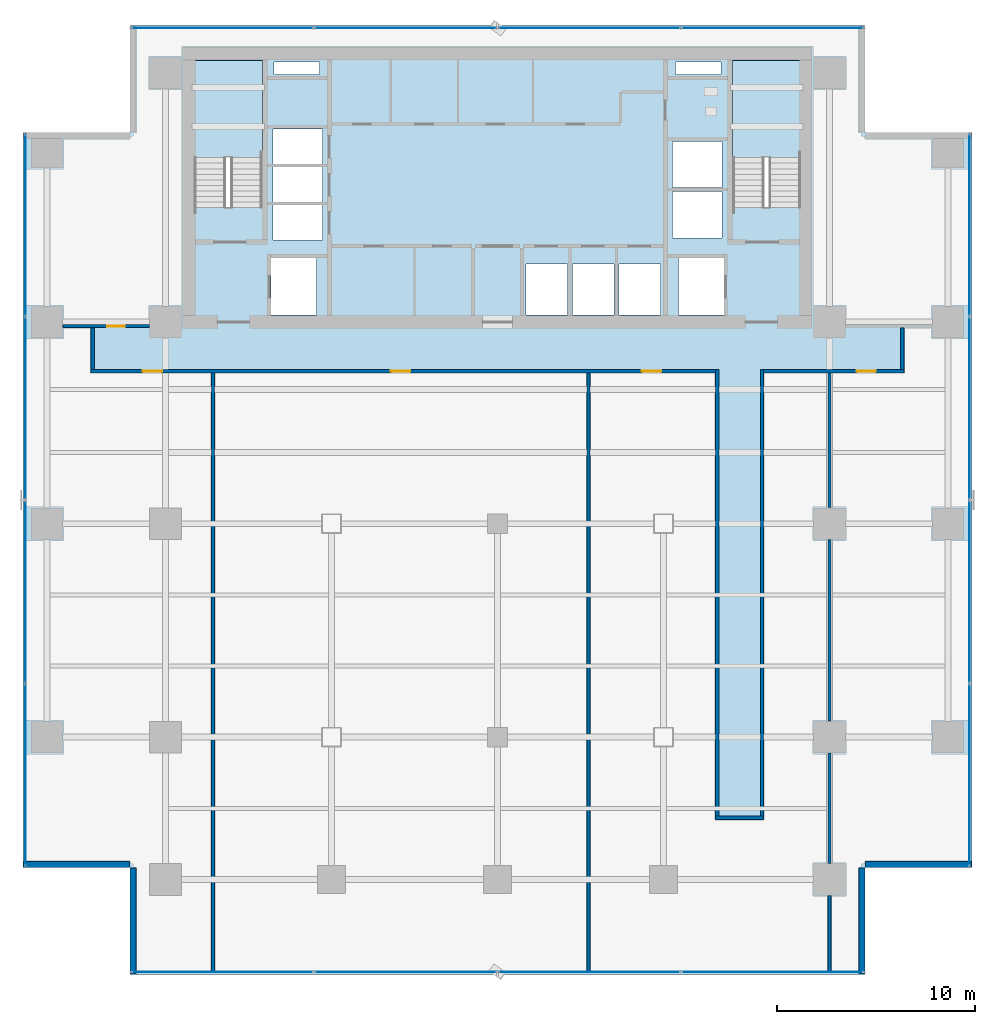
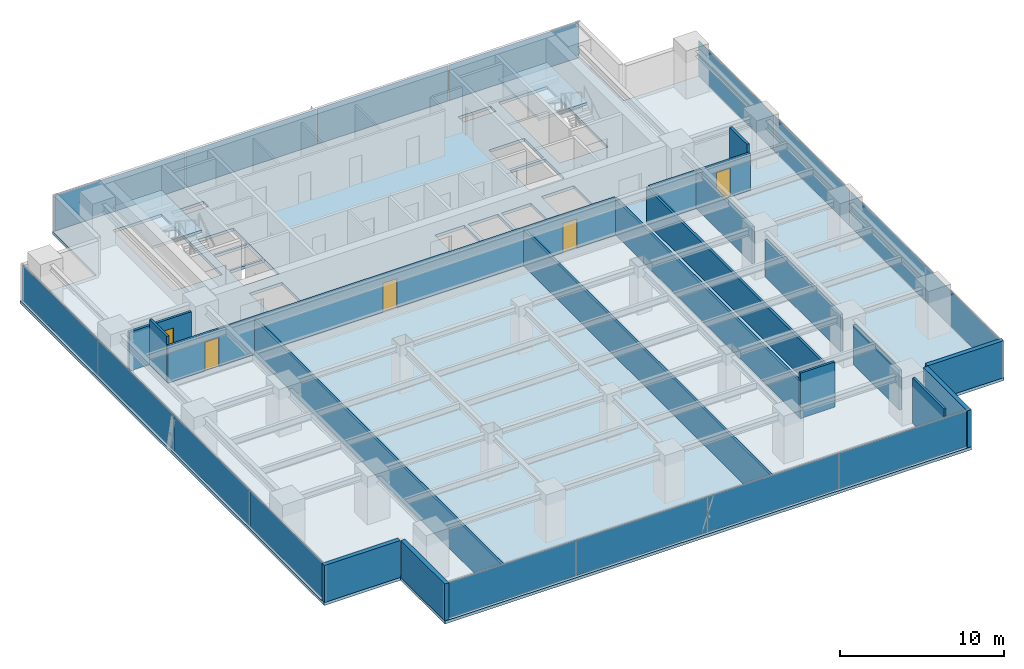
# One storey, part 20 of 27: 18 walls, 16 plates, 5 doors, 3 slabs, 5 openings, 6 elements without a shape of their own.
"""IFC4 building model written with IfcOpenShell, lengths in metres."""

import ifcopenshell
import ifcopenshell.guid

model = None  # the IFC model being written
_history = None  # IfcOwnerHistory: only IFC2X3 demands one
_inside = {}  # id of a spatial element -> (the spatial element, [elements in it])
_under = {}  # id of a project, library or spatial element -> (it, [spatial elements below it])
_declared = {}  # id of a project -> (the project, [libraries it declares])
_typed = {}  # id of a type object -> (the type object, [elements of that type])
_made_of = {}  # id of a material, layer set ... -> (it, [elements and type objects made of it])


def new_model(schema):
    """Start an empty IFC model of exactly this schema.

    Asked for "IFC4X3", IfcOpenShell would pick the latest addendum, in which some entities
    have other attributes; the version numbers below select the first issue.
    IFC2X3 requires an IfcOwnerHistory on every rooted entity: one is made here for all.
    """
    global model, _history
    if schema == "IFC4X3":
        model = ifcopenshell.file(schema_version=(4, 3, 0, 0))
    else:
        model = ifcopenshell.file(schema=schema)
    _inside.clear()
    _under.clear()
    _declared.clear()
    _typed.clear()
    _made_of.clear()
    _history = None
    if model.schema == "IFC2X3":
        org = make("IfcOrganization", Name="unknown")
        user = make(
            "IfcPersonAndOrganization",
            ThePerson=make("IfcPerson", FamilyName="unknown"),
            TheOrganization=org,
        )
        app = make(
            "IfcApplication",
            ApplicationDeveloper=org,
            Version="unknown",
            ApplicationFullName="unknown",
            ApplicationIdentifier="unknown",
        )
        _history = make(
            "IfcOwnerHistory",
            OwningUser=user,
            OwningApplication=app,
            ChangeAction="ADDED",
            CreationDate=0,
        )
    return model


def make(cls, **values):
    """One entity of the class cls with the attributes given. An attribute that is None is left unset."""
    return model.create_entity(
        cls, **{name: value for name, value in values.items() if value is not None}
    )


def rooted(cls, **values):
    """An entity with a GlobalId (a new one), such as an element, a storey or a relation."""
    return make(cls, GlobalId=ifcopenshell.guid.new(), OwnerHistory=_history, **values)


def si_unit(unit_type, name, prefix=None):
    """IfcSIUnit, for example si_unit("LENGTHUNIT", "METRE", prefix="MILLI")."""
    return make("IfcSIUnit", UnitType=unit_type, Prefix=prefix, Name=name)


def assignment(units):
    """IfcUnitAssignment: the units of a project."""
    return None if units is None else make("IfcUnitAssignment", Units=units)


def point(xyz):
    """IfcCartesianPoint."""
    return None if xyz is None else make("IfcCartesianPoint", Coordinates=xyz)


def direction(xyz):
    """IfcDirection."""
    return None if xyz is None else make("IfcDirection", DirectionRatios=xyz)


def frame(location, z_axis=None, x_axis=None):
    """IfcAxis2Placement3D, a coordinate frame: its origin and axes. An axis left out is left unset."""
    return make(
        "IfcAxis2Placement3D",
        Location=point(location),
        Axis=direction(z_axis),
        RefDirection=direction(x_axis),
    )


def frame_2d(location, x_axis=None):
    """IfcAxis2Placement2D, a coordinate frame in the plane: its origin and x axis."""
    return make(
        "IfcAxis2Placement2D", Location=point(location), RefDirection=direction(x_axis)
    )


def origin():
    """The frame at (0, 0, 0) with its axes left unset."""
    return frame((0.0, 0.0, 0.0))


def origin_2d():
    """The frame at (0, 0) in the plane with its x axis left unset."""
    return frame_2d((0.0, 0.0))


def place(relative_to, where):
    """IfcLocalPlacement: puts the frame where relative to a parent placement (None: the world)."""
    return make(
        "IfcLocalPlacement", PlacementRelTo=relative_to, RelativePlacement=where
    )


def context(
    kind, dimensions, precision=None, world=None, true_north=None, identifier=None
):
    """IfcGeometricRepresentationContext, for example the 3D "Model" context."""
    return make(
        "IfcGeometricRepresentationContext",
        ContextIdentifier=identifier,
        ContextType=kind,
        CoordinateSpaceDimension=dimensions,
        Precision=precision,
        WorldCoordinateSystem=world,
        TrueNorth=true_north,
    )


def subcontext(parent, identifier, kind, view, scale=None):
    """IfcGeometricRepresentationSubContext, for example "Body" below "Model"."""
    return make(
        "IfcGeometricRepresentationSubContext",
        ContextIdentifier=identifier,
        ContextType=kind,
        ParentContext=parent,
        TargetScale=scale,
        TargetView=view,
    )


def project(units=None, contexts=None):
    """IfcProject with its units and contexts."""
    return rooted(
        "IfcProject",
        Name="project",
        RepresentationContexts=contexts,
        UnitsInContext=assignment(units),
    )


def spatial(cls, under=None, at=None, **own):
    """A site, building, storey or space (cls), placed at a placement, below another one or the project."""
    s = rooted(cls, ObjectPlacement=at, **own)
    if under is not None:
        _under.setdefault(under.id(), (under, []))[1].append(s)
    return s


def polyline(points):
    """IfcPolyline through the points."""
    return make("IfcPolyline", Points=[point(p) for p in points])


def profile(cls, at=None, kind="AREA", **sizes):
    """A parametric profile (cls). Its sizes go by their IFC names, for example OverallWidth=200.0."""
    return make(cls, ProfileType=kind, Position=at, **sizes)


def rectangle(**sizes):
    """IfcRectangleProfileDef."""
    return profile("IfcRectangleProfileDef", **sizes)


def outline(outer, holes=None, kind="AREA"):
    """IfcArbitraryClosedProfileDef: a profile drawn as a closed curve; with holes, ...WithVoids."""
    if holes is None:
        return make("IfcArbitraryClosedProfileDef", ProfileType=kind, OuterCurve=outer)
    return make(
        "IfcArbitraryProfileDefWithVoids",
        ProfileType=kind,
        OuterCurve=outer,
        InnerCurves=holes,
    )


def extrude(swept, where, along, depth):
    """IfcExtrudedAreaSolid: the profile swept, set in the frame where, extruded along a direction by depth."""
    return make(
        "IfcExtrudedAreaSolid",
        SweptArea=swept,
        Position=where,
        ExtrudedDirection=direction(along),
        Depth=depth,
    )


def shape(context_of_items, identifier, shape_type, items):
    """IfcShapeRepresentation: the items that make up one representation, for example the "Body"."""
    return make(
        "IfcShapeRepresentation",
        ContextOfItems=context_of_items,
        RepresentationIdentifier=identifier,
        RepresentationType=shape_type,
        Items=items,
    )


def source(mapping_origin, context_of_items, identifier, shape_type, items):
    """IfcRepresentationMap: a shape defined once, which mapped items show again and again."""
    return make(
        "IfcRepresentationMap",
        MappingOrigin=mapping_origin,
        MappedRepresentation=shape(context_of_items, identifier, shape_type, items),
    )


def transform(
    local_origin,
    x_axis=None,
    y_axis=None,
    z_axis=None,
    scale=None,
    scale2=None,
    scale3=None,
    uniform=True,
):
    """IfcCartesianTransformationOperator3D, or its non-uniform kind. x_axis, y_axis, z_axis: its Axis1, 2, 3."""
    if uniform:
        return make(
            "IfcCartesianTransformationOperator3D",
            Axis1=direction(x_axis),
            Axis2=direction(y_axis),
            LocalOrigin=point(local_origin),
            Scale=scale,
            Axis3=direction(z_axis),
        )
    return make(
        "IfcCartesianTransformationOperator3DnonUniform",
        Axis1=direction(x_axis),
        Axis2=direction(y_axis),
        LocalOrigin=point(local_origin),
        Scale=scale,
        Axis3=direction(z_axis),
        Scale2=scale2,
        Scale3=scale3,
    )


def mapped(mapping_source, mapping_target):
    """IfcMappedItem: shows the shape of a source again, moved by a transform."""
    return make(
        "IfcMappedItem", MappingSource=mapping_source, MappingTarget=mapping_target
    )


def material(Name=None, Category=None):
    """IfcMaterial."""
    return make("IfcMaterial", Name=Name, Category=Category)


def layer(
    of_material, thickness, ventilated=None, Name=None, Category=None, Priority=None
):
    """IfcMaterialLayer: one layer of a wall or slab, of a material (None: an air gap)."""
    return make(
        "IfcMaterialLayer",
        Material=of_material,
        LayerThickness=thickness,
        IsVentilated=ventilated,
        Name=Name,
        Category=Category,
        Priority=Priority,
    )


def layer_set(layers, Name=None):
    """IfcMaterialLayerSet."""
    return make("IfcMaterialLayerSet", MaterialLayers=layers, LayerSetName=Name)


def made_of(thing, what):
    """Note that an element or type object is made of a material, layer set ...; save() writes the relation."""
    if what is not None:
        _made_of.setdefault(what.id(), (what, []))[1].append(thing)
    return thing


def type_object(cls, material=None, **own):
    """A type object (cls), such as IfcWallType, which elements share."""
    return made_of(rooted(cls, **own), material)


def element(
    cls,
    number,
    at=None,
    inside=None,
    cuts=None,
    type_object=None,
    material=None,
    context=None,
    identifier="Body",
    shape_type=None,
    held_by="IfcProductDefinitionShape",
    body=None,
    shapes=None,
    **own,
):
    """One element of the class cls, such as IfcWall. Its Tag is "e" and its number.

    at: its placement. inside: the storey or other place that contains it. cuts: it is an
    opening in that element (IfcRelVoidsElement). A single representation is given by context,
    identifier, shape_type and body (its items); several are given by shapes. held_by: the class
    of the entity that holds the representations. save() writes the other relations.
    """
    e = rooted(cls, Tag="e%d" % number, ObjectPlacement=at, **own)
    if body is not None:
        shapes = [shape(context, identifier, shape_type, body)]
    if shapes is not None:
        e.Representation = make(held_by, Representations=shapes)
    if inside is not None:
        _inside.setdefault(inside.id(), (inside, []))[1].append(e)
    if cuts is not None:
        rooted(
            "IfcRelVoidsElement", RelatingBuildingElement=cuts, RelatedOpeningElement=e
        )
    if type_object is not None:
        _typed.setdefault(type_object.id(), (type_object, []))[1].append(e)
    return made_of(e, material)


def fill(opening, filler):
    """IfcRelFillsElement: the door or window that sits in an opening."""
    return rooted(
        "IfcRelFillsElement",
        RelatingOpeningElement=opening,
        RelatedBuildingElement=filler,
    )


def aggregate(whole, parts):
    """IfcRelAggregates: a whole, such as a stair, and the parts it consists of."""
    return rooted("IfcRelAggregates", RelatingObject=whole, RelatedObjects=parts)


def save(model, path):
    """Write the relations noted so far, then the file.

    IfcRelAggregates (storeys below a building ...), IfcRelContainedInSpatialStructure (elements
    in a storey), IfcRelDefinesByType, IfcRelAssociatesMaterial and IfcRelDeclares: one each for
    every whole, place, type object, material and project.
    """
    for whole, parts in _under.values():
        aggregate(whole, parts)
    for where, things in _inside.values():
        rooted(
            "IfcRelContainedInSpatialStructure",
            RelatedElements=things,
            RelatingStructure=where,
        )
    for kind, things in _typed.values():
        rooted("IfcRelDefinesByType", RelatedObjects=things, RelatingType=kind)
    for what, things in _made_of.values():
        rooted("IfcRelAssociatesMaterial", RelatedObjects=things, RelatingMaterial=what)
    for by, libraries in _declared.values():
        rooted("IfcRelDeclares", RelatingContext=by, RelatedDefinitions=libraries)
    model.write(path)


model = new_model("IFC4")

# Units and contexts
model_context = context("Model", 3, precision=1e-05, world=origin(), true_north=direction((0.0, 1.0)))
body_context = subcontext(model_context, "Body", "Model", "MODEL_VIEW")
ifc_project = project(units=[si_unit("LENGTHUNIT", "METRE"), si_unit("AREAUNIT", "SQUARE_METRE"), si_unit("VOLUMEUNIT", "CUBIC_METRE"), si_unit("PLANEANGLEUNIT", "RADIAN"), si_unit("MASSUNIT", "GRAM", prefix="KILO")], contexts=[model_context])

# Site, building, storey
site_placement = place(None, origin())
site = spatial("IfcSite", under=ifc_project, at=site_placement, CompositionType="ELEMENT")
building_placement = place(site_placement, origin())
building = spatial("IfcBuilding", under=site, at=building_placement, Name="Sumidabori Civic Tower", CompositionType="ELEMENT")
storey_placement = place(building_placement, frame((0.0, 0.0, 156.800048828125)))
storey = spatial("IfcBuildingStorey", under=building, at=storey_placement, Name="L40", CompositionType="ELEMENT", Elevation=156.800048828125)

# Stair, slab
ifc_material_1 = material(Name="Concrete C40/50", Category="concrete")
stair_type = type_object("IfcStairType", Name="ST-CORE-1600", PredefinedType="HALF_TURN_STAIR", material=ifc_material_1)
stair_1_placement = place(storey_placement, origin())
stair_1 = element("IfcStair", 1, at=stair_1_placement, inside=storey, type_object=stair_type, Name="L40 ST-1", PredefinedType="HALF_TURN_STAIR")
ifc_layer_1 = layer(ifc_material_1, 0.199951171875, Name="Concrete C40/50")
ifc_layer_set_1 = layer_set([ifc_layer_1], Name="Concrete C40/50")
slab_type_1 = type_object("IfcSlabType", Name="SL-LAND-200", PredefinedType="LANDING", material=ifc_layer_set_1)
slab_1_placement = place(storey_placement, frame((0.0, 0.0, 1.599853515625)))
slab_1 = element("IfcSlab", 2, at=slab_1_placement, type_object=slab_type_1, Name="ST-1 landing 1", PredefinedType="LANDING", context=body_context, shape_type="SweptSolid", body=[
    extrude(outline(polyline([(-11.89990234375, 18.52001953125), (-11.89990234375, 23.449951171875), (-15.340087890625, 23.449951171875), (-15.340087890625, 18.52001953125), (-11.89990234375, 18.52001953125)])), origin(), (0.0, 0.0, 1.0), 0.2001953125),
])
aggregate(stair_1, [slab_1])

stair_2_placement = place(storey_placement, origin())
stair_2 = element("IfcStair", 3, at=stair_2_placement, inside=storey, type_object=stair_type, Name="L40 ST-2", PredefinedType="HALF_TURN_STAIR")
slab_2_placement = place(storey_placement, frame((0.0, 0.0, 1.599853515625)))
slab_2 = element("IfcSlab", 4, at=slab_2_placement, type_object=slab_type_1, Name="ST-2 landing 1", PredefinedType="LANDING", context=body_context, shape_type="SweptSolid", body=[
    extrude(outline(polyline([(15.340087890625, 18.52001953125), (15.340087890625, 23.449951171875), (11.89990234375, 23.449951171875), (11.89990234375, 18.52001953125), (15.340087890625, 18.52001953125)])), origin(), (0.0, 0.0, 1.0), 0.2001953125),
])
aggregate(stair_2, [slab_2])

# Slab
ifc_layer_2 = layer(ifc_material_1, 0.219970703125, Name="Concrete C40/50")
ifc_layer_set_2 = layer_set([ifc_layer_2], Name="Concrete C40/50")
slab_type_2 = type_object("IfcSlabType", Name="SL-Z3-220", PredefinedType="FLOOR", material=ifc_layer_set_2)
slab_3_placement = place(storey_placement, frame((0.0, 0.0, -0.219970703125)))
element("IfcSlab", 5, at=slab_3_placement, inside=storey, type_object=slab_type_2, Name="Structural Slab L40", PredefinedType="FLOOR", context=body_context, shape_type="SweptSolid", body=[
    extrude(outline(polyline([(-18.60009765625, -22.800048828125), (18.60009765625, -22.800048828125), (18.60009765625, -17.39990234375), (24.0, -17.39990234375), (24.0, 19.800048828125), (18.60009765625, 19.800048828125), (18.60009765625, 25.199951171875), (-18.60009765625, 25.199951171875), (-18.60009765625, 19.800048828125), (-24.0, 19.800048828125), (-24.0, -17.39990234375), (-18.60009765625, -17.39990234375), (-18.60009765625, -22.800048828125)]), holes=[polyline([(-11.89990234375, 16.0), (-11.89990234375, 23.449951171875), (-15.340087890625, 23.449951171875), (-15.340087890625, 16.0), (-11.89990234375, 16.0)]), polyline([(15.340087890625, 16.0), (15.340087890625, 23.449951171875), (11.89990234375, 23.449951171875), (11.89990234375, 16.0), (15.340087890625, 16.0)]), polyline([(-11.449951171875, 10.550048828125), (-9.14990234375, 10.550048828125), (-9.14990234375, 13.449951171875), (-11.449951171875, 13.449951171875), (-11.449951171875, 10.550048828125)]), polyline([(9.14990234375, 10.550048828125), (11.449951171875, 10.550048828125), (11.449951171875, 13.449951171875), (9.14990234375, 13.449951171875), (9.14990234375, 10.550048828125)]), polyline([(1.449951171875, 10.550048828125), (3.550048828125, 10.550048828125), (3.550048828125, 13.14990234375), (1.449951171875, 13.14990234375), (1.449951171875, 10.550048828125)]), polyline([(3.800048828125, 10.550048828125), (5.89990234375, 10.550048828125), (5.89990234375, 13.14990234375), (3.800048828125, 13.14990234375), (3.800048828125, 10.550048828125)]), polyline([(6.14990234375, 10.550048828125), (8.25, 10.550048828125), (8.25, 13.14990234375), (6.14990234375, 13.14990234375), (6.14990234375, 10.550048828125)]), polyline([(-11.35009765625, 14.35009765625), (-8.85009765625, 14.35009765625), (-8.85009765625, 16.1201171875), (-11.35009765625, 16.1201171875), (-11.35009765625, 14.35009765625)]), polyline([(-11.35009765625, 16.27001953125), (-8.85009765625, 16.27001953125), (-8.85009765625, 18.0400390625), (-11.35009765625, 18.0400390625), (-11.35009765625, 16.27001953125)]), polyline([(-11.35009765625, 18.18994140625), (-8.85009765625, 18.18994140625), (-8.85009765625, 19.9599609375), (-11.35009765625, 19.9599609375), (-11.35009765625, 18.18994140625)]), polyline([(8.85009765625, 14.449951171875), (11.35009765625, 14.449951171875), (11.35009765625, 16.800048828125), (8.85009765625, 16.800048828125), (8.85009765625, 14.449951171875)]), polyline([(8.85009765625, 17.0), (11.35009765625, 17.0), (11.35009765625, 19.35009765625), (8.85009765625, 19.35009765625), (8.85009765625, 17.0)]), polyline([(-11.300048828125, 22.719970703125), (-9.0, 22.719970703125), (-9.0, 23.35009765625), (-11.300048828125, 23.35009765625), (-11.300048828125, 22.719970703125)]), polyline([(9.0, 22.719970703125), (11.300048828125, 22.719970703125), (11.300048828125, 23.35009765625), (9.0, 23.35009765625), (9.0, 22.719970703125)])]), origin(), (0.0, 0.0, 1.0), 0.219970703125),
])

# Curtain wall, plates
ifc_material_2 = material(Name="Anodised Bronze Aluminium AW-6063-T6", Category="aluminium")
ifc_layer_3 = layer(ifc_material_2, 0.179931640625, Name="Anodised Bronze Aluminium AW-6063-T6")
ifc_layer_set_3 = layer_set([ifc_layer_3], Name="Anodised Bronze Aluminium AW-6063-T6")
curtain_wall_type = type_object("IfcCurtainWallType", Name="CW-SYS-3", PredefinedType="NOTDEFINED", material=ifc_layer_set_3)
curtain_wall_1_placement = place(storey_placement, origin())
curtain_wall_1 = element("IfcCurtainWall", 6, at=curtain_wall_1_placement, inside=storey, type_object=curtain_wall_type, Name="Curtain Wall CW:L40:R01", PredefinedType="NOTDEFINED")
ifc_material_3 = material(Name="Low-E Solar-Control Vision Glazing", Category="glass")
ifc_layer_4 = layer(ifc_material_3, 0.028076171875, Name="Low-E Solar-Control Vision Glazing")
ifc_layer_set_4 = layer_set([ifc_layer_4], Name="Low-E Solar-Control Vision Glazing")
plate_type = type_object("IfcPlateType", Name="CW-PNL-28", PredefinedType="CURTAIN_PANEL", material=ifc_layer_set_4)
shared_shape_1 = source(origin(), body_context, "Body", "SweptSolid", [
    extrude(rectangle(XDim=9.1875, YDim=0.028076171875, at=origin_2d()), origin(), (0.0, 0.0, 1.0), 2.639892578125),
])
plate_1_placement = place(storey_placement, frame((-13.9111328125, -22.679931640625, 0.06005859375), z_axis=(0.0, 0.0, 1.0), x_axis=(1.0, 0.0, 0.0)))
plate_1 = element("IfcPlate", 7, at=plate_1_placement, type_object=plate_type, Name="CW-3 panel 1.1", PredefinedType="CURTAIN_PANEL", context=body_context, shape_type="MappedRepresentation", body=[
    mapped(shared_shape_1, transform((0.0, 0.0, 0.0), x_axis=(1.0, 0.0, 0.0), y_axis=(0.0, 1.0, 0.0), z_axis=(0.0, 0.0, 1.0), scale=1.0)),
])
plate_2_placement = place(storey_placement, frame((13.9111328125, -22.679931640625, 0.06005859375), z_axis=(0.0, 0.0, 1.0), x_axis=(1.0, 0.0, 0.0)))
plate_2 = element("IfcPlate", 8, at=plate_2_placement, type_object=plate_type, Name="CW-3 panel 4.1", PredefinedType="CURTAIN_PANEL", context=body_context, shape_type="MappedRepresentation", body=[
    mapped(shared_shape_1, transform((0.0, 0.0, 0.0), x_axis=(1.0, 0.0, 0.0), y_axis=(0.0, 1.0, 0.0), z_axis=(0.0, 0.0, 1.0), scale=1.0)),
])

curtain_wall_2_placement = place(storey_placement, origin())
curtain_wall_2 = element("IfcCurtainWall", 9, at=curtain_wall_2_placement, inside=storey, type_object=curtain_wall_type, Name="Curtain Wall CW:L40:R04", PredefinedType="NOTDEFINED")
plate_3_placement = place(storey_placement, frame((23.8798828125, -12.711181640625, 0.06005859375), z_axis=(0.0, 0.0, 1.0), x_axis=(0.0, 1.0, 0.0)))
plate_3 = element("IfcPlate", 10, at=plate_3_placement, type_object=plate_type, Name="CW-3 panel 1.1", PredefinedType="CURTAIN_PANEL", context=body_context, shape_type="MappedRepresentation", body=[
    mapped(shared_shape_1, transform((0.0, 0.0, 0.0), x_axis=(1.0, 0.0, 0.0), y_axis=(0.0, 1.0, 0.0), z_axis=(0.0, 0.0, 1.0), scale=1.0)),
])
plate_4_placement = place(storey_placement, frame((23.8798828125, 15.111328125, 0.06005859375), z_axis=(0.0, 0.0, 1.0), x_axis=(0.0, 1.0, 0.0)))
plate_4 = element("IfcPlate", 11, at=plate_4_placement, type_object=plate_type, Name="CW-3 panel 4.1", PredefinedType="CURTAIN_PANEL", context=body_context, shape_type="MappedRepresentation", body=[
    mapped(shared_shape_1, transform((0.0, 0.0, 0.0), x_axis=(1.0, 0.0, 0.0), y_axis=(0.0, 1.0, 0.0), z_axis=(0.0, 0.0, 1.0), scale=1.0)),
])

curtain_wall_3_placement = place(storey_placement, origin())
curtain_wall_3 = element("IfcCurtainWall", 12, at=curtain_wall_3_placement, inside=storey, type_object=curtain_wall_type, Name="Curtain Wall CW:L40:R07", PredefinedType="NOTDEFINED")
plate_5_placement = place(storey_placement, frame((13.9111328125, 25.080078125, 0.06005859375), z_axis=(0.0, 0.0, 1.0), x_axis=(-1.0, 0.0, 0.0)))
plate_5 = element("IfcPlate", 13, at=plate_5_placement, type_object=plate_type, Name="CW-3 panel 1.1", PredefinedType="CURTAIN_PANEL", context=body_context, shape_type="MappedRepresentation", body=[
    mapped(shared_shape_1, transform((0.0, 0.0, 0.0), x_axis=(1.0, 0.0, 0.0), y_axis=(0.0, 1.0, 0.0), z_axis=(0.0, 0.0, 1.0), scale=1.0)),
])
plate_6_placement = place(storey_placement, frame((-13.9111328125, 25.080078125, 0.06005859375), z_axis=(0.0, 0.0, 1.0), x_axis=(-1.0, 0.0, 0.0)))
plate_6 = element("IfcPlate", 14, at=plate_6_placement, type_object=plate_type, Name="CW-3 panel 4.1", PredefinedType="CURTAIN_PANEL", context=body_context, shape_type="MappedRepresentation", body=[
    mapped(shared_shape_1, transform((0.0, 0.0, 0.0), x_axis=(1.0, 0.0, 0.0), y_axis=(0.0, 1.0, 0.0), z_axis=(0.0, 0.0, 1.0), scale=1.0)),
])

curtain_wall_4_placement = place(storey_placement, origin())
curtain_wall_4 = element("IfcCurtainWall", 15, at=curtain_wall_4_placement, inside=storey, type_object=curtain_wall_type, Name="Curtain Wall CW:L40:R10", PredefinedType="NOTDEFINED")
plate_7_placement = place(storey_placement, frame((-23.8798828125, 15.111328125, 0.06005859375), z_axis=(0.0, 0.0, 1.0), x_axis=(0.0, -1.0, 0.0)))
plate_7 = element("IfcPlate", 16, at=plate_7_placement, type_object=plate_type, Name="CW-3 panel 1.1", PredefinedType="CURTAIN_PANEL", context=body_context, shape_type="MappedRepresentation", body=[
    mapped(shared_shape_1, transform((0.0, 0.0, 0.0), x_axis=(1.0, 0.0, 0.0), y_axis=(0.0, 1.0, 0.0), z_axis=(0.0, 0.0, 1.0), scale=1.0)),
])
plate_8_placement = place(storey_placement, frame((-23.8798828125, -12.711181640625, 0.06005859375), z_axis=(0.0, 0.0, 1.0), x_axis=(0.0, -1.0, 0.0)))
plate_8 = element("IfcPlate", 17, at=plate_8_placement, type_object=plate_type, Name="CW-3 panel 4.1", PredefinedType="CURTAIN_PANEL", context=body_context, shape_type="MappedRepresentation", body=[
    mapped(shared_shape_1, transform((0.0, 0.0, 0.0), x_axis=(1.0, 0.0, 0.0), y_axis=(0.0, 1.0, 0.0), z_axis=(0.0, 0.0, 1.0), scale=1.0)),
])

# Plate
shared_shape_2 = source(origin(), body_context, "Body", "SweptSolid", [
    extrude(rectangle(XDim=9.219970703125, YDim=0.028076171875, at=origin_2d()), origin(), (0.0, 0.0, 1.0), 2.639892578125),
])
plate_9_placement = place(storey_placement, frame((-4.642578125, -22.679931640625, 0.06005859375), z_axis=(0.0, 0.0, 1.0), x_axis=(1.0, 0.0, 0.0)))
plate_9 = element("IfcPlate", 18, at=plate_9_placement, type_object=plate_type, Name="CW-3 panel 2.1", PredefinedType="CURTAIN_PANEL", context=body_context, shape_type="MappedRepresentation", body=[
    mapped(shared_shape_2, transform((0.0, 0.0, 0.0), x_axis=(1.0, 0.0, 0.0), y_axis=(0.0, 1.0, 0.0), z_axis=(0.0, 0.0, 1.0), scale=1.0)),
])

plate_10_placement = place(storey_placement, frame((4.642578125, -22.679931640625, 0.06005859375), z_axis=(0.0, 0.0, 1.0), x_axis=(1.0, 0.0, 0.0)))
plate_10 = element("IfcPlate", 19, at=plate_10_placement, type_object=plate_type, Name="CW-3 panel 3.1", PredefinedType="CURTAIN_PANEL", context=body_context, shape_type="MappedRepresentation", body=[
    mapped(shared_shape_2, transform((0.0, 0.0, 0.0), x_axis=(1.0, 0.0, 0.0), y_axis=(0.0, 1.0, 0.0), z_axis=(0.0, 0.0, 1.0), scale=1.0)),
])

aggregate(curtain_wall_1, [plate_1, plate_9, plate_10, plate_2])

plate_11_placement = place(storey_placement, frame((23.8798828125, -3.4423828125, 0.06005859375), z_axis=(0.0, 0.0, 1.0), x_axis=(0.0, 1.0, 0.0)))
plate_11 = element("IfcPlate", 20, at=plate_11_placement, type_object=plate_type, Name="CW-3 panel 2.1", PredefinedType="CURTAIN_PANEL", context=body_context, shape_type="MappedRepresentation", body=[
    mapped(shared_shape_2, transform((0.0, 0.0, 0.0), x_axis=(1.0, 0.0, 0.0), y_axis=(0.0, 1.0, 0.0), z_axis=(0.0, 0.0, 1.0), scale=1.0)),
])

plate_12_placement = place(storey_placement, frame((23.8798828125, 5.842529296875, 0.06005859375), z_axis=(0.0, 0.0, 1.0), x_axis=(0.0, 1.0, 0.0)))
plate_12 = element("IfcPlate", 21, at=plate_12_placement, type_object=plate_type, Name="CW-3 panel 3.1", PredefinedType="CURTAIN_PANEL", context=body_context, shape_type="MappedRepresentation", body=[
    mapped(shared_shape_2, transform((0.0, 0.0, 0.0), x_axis=(1.0, 0.0, 0.0), y_axis=(0.0, 1.0, 0.0), z_axis=(0.0, 0.0, 1.0), scale=1.0)),
])

aggregate(curtain_wall_2, [plate_3, plate_11, plate_12, plate_4])

plate_13_placement = place(storey_placement, frame((4.642578125, 25.080078125, 0.06005859375), z_axis=(0.0, 0.0, 1.0), x_axis=(-1.0, 0.0, 0.0)))
plate_13 = element("IfcPlate", 22, at=plate_13_placement, type_object=plate_type, Name="CW-3 panel 2.1", PredefinedType="CURTAIN_PANEL", context=body_context, shape_type="MappedRepresentation", body=[
    mapped(shared_shape_2, transform((0.0, 0.0, 0.0), x_axis=(1.0, 0.0, 0.0), y_axis=(0.0, 1.0, 0.0), z_axis=(0.0, 0.0, 1.0), scale=1.0)),
])

plate_14_placement = place(storey_placement, frame((-4.642578125, 25.080078125, 0.06005859375), z_axis=(0.0, 0.0, 1.0), x_axis=(-1.0, 0.0, 0.0)))
plate_14 = element("IfcPlate", 23, at=plate_14_placement, type_object=plate_type, Name="CW-3 panel 3.1", PredefinedType="CURTAIN_PANEL", context=body_context, shape_type="MappedRepresentation", body=[
    mapped(shared_shape_2, transform((0.0, 0.0, 0.0), x_axis=(1.0, 0.0, 0.0), y_axis=(0.0, 1.0, 0.0), z_axis=(0.0, 0.0, 1.0), scale=1.0)),
])

aggregate(curtain_wall_3, [plate_5, plate_13, plate_14, plate_6])

plate_15_placement = place(storey_placement, frame((-23.8798828125, 5.842529296875, 0.06005859375), z_axis=(0.0, 0.0, 1.0), x_axis=(0.0, -1.0, 0.0)))
plate_15 = element("IfcPlate", 24, at=plate_15_placement, type_object=plate_type, Name="CW-3 panel 2.1", PredefinedType="CURTAIN_PANEL", context=body_context, shape_type="MappedRepresentation", body=[
    mapped(shared_shape_2, transform((0.0, 0.0, 0.0), x_axis=(1.0, 0.0, 0.0), y_axis=(0.0, 1.0, 0.0), z_axis=(0.0, 0.0, 1.0), scale=1.0)),
])

plate_16_placement = place(storey_placement, frame((-23.8798828125, -3.4423828125, 0.06005859375), z_axis=(0.0, 0.0, 1.0), x_axis=(0.0, -1.0, 0.0)))
plate_16 = element("IfcPlate", 25, at=plate_16_placement, type_object=plate_type, Name="CW-3 panel 3.1", PredefinedType="CURTAIN_PANEL", context=body_context, shape_type="MappedRepresentation", body=[
    mapped(shared_shape_2, transform((0.0, 0.0, 0.0), x_axis=(1.0, 0.0, 0.0), y_axis=(0.0, 1.0, 0.0), z_axis=(0.0, 0.0, 1.0), scale=1.0)),
])

aggregate(curtain_wall_4, [plate_7, plate_15, plate_16, plate_8])

# Walls
ifc_material_4 = material(Name="Precast concrete C40/50", Category="concrete")
ifc_layer_5 = layer(ifc_material_4, 0.300048828125, Name="Precast concrete C40/50")
ifc_layer_set_5 = layer_set([ifc_layer_5], Name="Precast concrete C40/50")
wall_type_1 = type_object("IfcWallType", Name="WL-EXT-POD300", PredefinedType="STANDARD", material=ifc_layer_set_5)
shared_shape_3 = source(origin(), body_context, "Body", "SweptSolid", [
    extrude(rectangle(XDim=5.360107421875, YDim=0.300048828125, at=frame_2d((2.68017578125, 0.0))), origin(), (0.0, 0.0, 1.0), 2.760009765625),
])
for number, where, z_axis, x_axis, name in (
    (26, (18.449951171875, -22.780029296875, 0.0), (0.0, 0.0, 1.0), (0.0, 1.0, 0.0), "Notched Corner Spandrel Band L40-02"),
    (27, (-18.449951171875, -17.419921875, 0.0), (0.0, 0.0, 1.0), (0.0, -1.0, 0.0), "Notched Corner Spandrel Band L40-12"),
):
    element("IfcWall", number, at=place(storey_placement, frame(where, z_axis=z_axis, x_axis=x_axis)), inside=storey, type_object=wall_type_1, Name=name, PredefinedType="STANDARD", context=body_context, shape_type="MappedRepresentation", body=[
        mapped(shared_shape_3, transform((0.0, 0.0, 0.0), x_axis=(1.0, 0.0, 0.0), y_axis=(0.0, 1.0, 0.0), z_axis=(0.0, 0.0, 1.0), scale=1.0)),
    ])
shared_shape_4 = source(origin(), body_context, "Body", "SweptSolid", [
    extrude(rectangle(XDim=5.35986328125, YDim=0.300048828125, at=frame_2d((2.679931640625, 0.0))), origin(), (0.0, 0.0, 1.0), 2.760009765625),
])
for number, where, z_axis, x_axis, name in (
    (28, (18.6201171875, -17.25, 0.0), (0.0, 0.0, 1.0), (1.0, 0.0, 0.0), "Notched Corner Spandrel Band L40-03"),
    (29, (-23.97998046875, -17.25, 0.0), (0.0, 0.0, 1.0), (1.0, 0.0, 0.0), "Notched Corner Spandrel Band L40-11"),
):
    element("IfcWall", number, at=place(storey_placement, frame(where, z_axis=z_axis, x_axis=x_axis)), inside=storey, type_object=wall_type_1, Name=name, PredefinedType="STANDARD", context=body_context, shape_type="MappedRepresentation", body=[
        mapped(shared_shape_4, transform((0.0, 0.0, 0.0), x_axis=(1.0, 0.0, 0.0), y_axis=(0.0, 1.0, 0.0), z_axis=(0.0, 0.0, 1.0), scale=1.0)),
    ])

# Wall, opening, door
ifc_material_5 = material(Name="Gypsum Plasterboard Acoustic Partition")
ifc_layer_6 = layer(ifc_material_5, 0.1650390625, Name="Gypsum Plasterboard Acoustic Partition")
ifc_layer_set_6 = layer_set([ifc_layer_6], Name="Gypsum Plasterboard Acoustic Partition")
wall_type_2 = type_object("IfcWallType", Name="WL-PART-165", PredefinedType="PARTITIONING", material=ifc_layer_set_6)
shared_shape_5 = source(origin(), body_context, "Body", "SweptSolid", [
    extrude(rectangle(XDim=4.3798828125, YDim=0.1650390625, at=frame_2d((2.18994140625, 0.0))), origin(), (0.0, 0.0, 1.0), 2.9150390625),
])
wall_1_placement = place(storey_placement, frame((-21.989990234375, 10.0, 0.0), z_axis=(0.0, 0.0, 1.0), x_axis=(1.0, 0.0, 0.0)))
wall_1 = element("IfcWall", 30, at=wall_1_placement, inside=storey, type_object=wall_type_2, Name="Interior Partition WL:L40:FLK-NW", PredefinedType="PARTITIONING", context=body_context, shape_type="MappedRepresentation", body=[
    mapped(shared_shape_5, transform((0.0, 0.0, 0.0), x_axis=(1.0, 0.0, 0.0), y_axis=(0.0, 1.0, 0.0), z_axis=(0.0, 0.0, 1.0), scale=1.0)),
])
opening_1_placement = place(wall_1_placement, frame((2.235107421875, 0.0, 0.0)))
opening_1 = element("IfcOpeningElement", 31, at=opening_1_placement, cuts=wall_1, Name="Opening DR-1", PredefinedType="OPENING", context=body_context, shape_type="SweptSolid", body=[
    extrude(rectangle(XDim=0.89990234375, YDim=2.14990234375, at=frame_2d((0.449951171875, 1.074951171875))), frame((0.0, 0.094482421875, 0.0), z_axis=(0.0, -1.0, 0.0), x_axis=(1.0, 0.0, 0.0)), (0.0, 0.0, 1.0), 0.18896484375),
])
ifc_material_6 = material(Name="Japanese Hinoki Timber", Category="wood")
door_type_1 = type_object("IfcDoorType", Name="DR-INT-900", OperationType="NOTDEFINED", PredefinedType="DOOR", material=ifc_material_6)
shared_shape_6 = source(origin(), body_context, "Body", "SweptSolid", [
    extrude(rectangle(XDim=0.89990234375, YDim=2.14990234375, at=frame_2d((0.449951171875, 1.074951171875))), frame((0.0, 0.02490234375, 0.0), z_axis=(0.0, -1.0, 0.0), x_axis=(1.0, 0.0, 0.0)), (0.0, 0.0, 1.0), 0.050048828125),
])
door_1_placement = place(opening_1_placement, origin())
door_1 = element("IfcDoor", 32, at=door_1_placement, inside=storey, type_object=door_type_1, Name="Door DR:L40:FLK-NE", OperationType="SINGLE_SWING_LEFT", OverallHeight=2.14990234375, OverallWidth=0.89990234375, PredefinedType="DOOR", context=body_context, shape_type="MappedRepresentation", body=[
    mapped(shared_shape_6, transform((0.0, 0.0, 0.0), x_axis=(1.0, 0.0, 0.0), y_axis=(0.0, 1.0, 0.0), z_axis=(0.0, 0.0, 1.0), scale=1.0)),
])
fill(opening_1, door_1)

# Wall, openings, doors
shared_shape_7 = source(origin(), body_context, "Body", "SweptSolid", [
    extrude(rectangle(XDim=31.599853515625, YDim=0.1650390625, at=frame_2d((15.7998046875, 0.0))), origin(), (0.0, 0.0, 1.0), 2.764892578125),
])
wall_2_placement = place(storey_placement, frame((-20.56494140625, 7.717529296875, 0.0), z_axis=(0.0, 0.0, 1.0), x_axis=(1.0, 0.0, 0.0)))
wall_2 = element("IfcWall", 33, at=wall_2_placement, inside=storey, type_object=wall_type_2, Name="Interior Partition WL:L40:CORR-SW", PredefinedType="PARTITIONING", context=body_context, shape_type="MappedRepresentation", body=[
    mapped(shared_shape_7, transform((0.0, 0.0, 0.0), x_axis=(1.0, 0.0, 0.0), y_axis=(0.0, 1.0, 0.0), z_axis=(0.0, 0.0, 1.0), scale=1.0)),
])
opening_2_placement = place(wall_2_placement, frame((2.61376953125, 0.0, 0.0)))
opening_2 = element("IfcOpeningElement", 34, at=opening_2_placement, cuts=wall_2, Name="Opening DR-3", PredefinedType="OPENING", context=body_context, shape_type="SweptSolid", body=[
    extrude(rectangle(XDim=0.97998046875, YDim=2.14990234375, at=frame_2d((0.489990234375, 1.074951171875))), frame((0.0, 0.094482421875, 0.0), z_axis=(0.0, -1.0, 0.0), x_axis=(1.0, 0.0, 0.0)), (0.0, 0.0, 1.0), 0.18896484375),
])
opening_3_placement = place(wall_2_placement, frame((15.175048828125, 0.0, 0.0)))
opening_3 = element("IfcOpeningElement", 35, at=opening_3_placement, cuts=wall_2, Name="Opening DR-3", PredefinedType="OPENING", context=body_context, shape_type="SweptSolid", body=[
    extrude(rectangle(XDim=0.97998046875, YDim=2.14990234375, at=frame_2d((0.489990234375, 1.074951171875))), frame((0.0, 0.094482421875, 0.0), z_axis=(0.0, -1.0, 0.0), x_axis=(1.0, 0.0, 0.0)), (0.0, 0.0, 1.0), 0.18896484375),
])
opening_4_placement = place(wall_2_placement, frame((27.873779296875, 0.0, 0.0)))
opening_4 = element("IfcOpeningElement", 36, at=opening_4_placement, cuts=wall_2, Name="Opening DR-3", PredefinedType="OPENING", context=body_context, shape_type="SweptSolid", body=[
    extrude(rectangle(XDim=0.97998046875, YDim=2.14990234375, at=frame_2d((0.489990234375, 1.074951171875))), frame((0.0, 0.094482421875, 0.0), z_axis=(0.0, -1.0, 0.0), x_axis=(1.0, 0.0, 0.0)), (0.0, 0.0, 1.0), 0.18896484375),
])
door_type_2 = type_object("IfcDoorType", Name="DR-INT-980", OperationType="NOTDEFINED", PredefinedType="DOOR", material=ifc_material_6)
shared_shape_8 = source(origin(), body_context, "Body", "SweptSolid", [
    extrude(rectangle(XDim=0.97998046875, YDim=2.14990234375, at=frame_2d((0.489990234375, 1.074951171875))), frame((0.0, 0.02490234375, 0.0), z_axis=(0.0, -1.0, 0.0), x_axis=(1.0, 0.0, 0.0)), (0.0, 0.0, 1.0), 0.050048828125),
])
door_2_placement = place(opening_2_placement, origin())
door_2 = element("IfcDoor", 37, at=door_2_placement, inside=storey, type_object=door_type_2, Name="Door DR:L40:D03", OperationType="SINGLE_SWING_LEFT", OverallHeight=2.14990234375, OverallWidth=0.97998046875, PredefinedType="DOOR", context=body_context, shape_type="MappedRepresentation", body=[
    mapped(shared_shape_8, transform((0.0, 0.0, 0.0), x_axis=(1.0, 0.0, 0.0), y_axis=(0.0, 1.0, 0.0), z_axis=(0.0, 0.0, 1.0), scale=1.0)),
])
fill(opening_2, door_2)
door_3_placement = place(opening_3_placement, origin())
door_3 = element("IfcDoor", 38, at=door_3_placement, inside=storey, type_object=door_type_2, Name="Door DR:L40:D04", OperationType="SINGLE_SWING_RIGHT", OverallHeight=2.14990234375, OverallWidth=0.97998046875, PredefinedType="DOOR", context=body_context, shape_type="MappedRepresentation", body=[
    mapped(shared_shape_8, transform((0.0, 0.0, 0.0), x_axis=(1.0, 0.0, 0.0), y_axis=(0.0, 1.0, 0.0), z_axis=(0.0, 0.0, 1.0), scale=1.0)),
])
fill(opening_3, door_3)
door_4_placement = place(opening_4_placement, origin())
door_4 = element("IfcDoor", 39, at=door_4_placement, inside=storey, type_object=door_type_2, Name="Door DR:L40:D05", OperationType="SINGLE_SWING_LEFT", OverallHeight=2.14990234375, OverallWidth=0.97998046875, PredefinedType="DOOR", context=body_context, shape_type="MappedRepresentation", body=[
    mapped(shared_shape_8, transform((0.0, 0.0, 0.0), x_axis=(1.0, 0.0, 0.0), y_axis=(0.0, 1.0, 0.0), z_axis=(0.0, 0.0, 1.0), scale=1.0)),
])
fill(opening_4, door_4)

# Wall, opening, door
shared_shape_9 = source(origin(), body_context, "Body", "SweptSolid", [
    extrude(rectangle(XDim=7.099853515625, YDim=0.1650390625, at=frame_2d((3.5498046875, 0.0))), origin(), (0.0, 0.0, 1.0), 2.764892578125),
])
wall_3_placement = place(storey_placement, frame((13.465087890625, 7.717529296875, 0.0), z_axis=(0.0, 0.0, 1.0), x_axis=(1.0, 0.0, 0.0)))
wall_3 = element("IfcWall", 40, at=wall_3_placement, inside=storey, type_object=wall_type_2, Name="Interior Partition WL:L40:CORR-SE", PredefinedType="PARTITIONING", context=body_context, shape_type="MappedRepresentation", body=[
    mapped(shared_shape_9, transform((0.0, 0.0, 0.0), x_axis=(1.0, 0.0, 0.0), y_axis=(0.0, 1.0, 0.0), z_axis=(0.0, 0.0, 1.0), scale=1.0)),
])
opening_5_placement = place(wall_3_placement, frame((4.706298828125, 0.0, 0.0)))
opening_5 = element("IfcOpeningElement", 41, at=opening_5_placement, cuts=wall_3, Name="Opening DR-3", PredefinedType="OPENING", context=body_context, shape_type="SweptSolid", body=[
    extrude(rectangle(XDim=0.97998046875, YDim=2.14990234375, at=frame_2d((0.489990234375, 1.074951171875))), frame((0.0, 0.094482421875, 0.0), z_axis=(0.0, -1.0, 0.0), x_axis=(1.0, 0.0, 0.0)), (0.0, 0.0, 1.0), 0.18896484375),
])
door_5_placement = place(opening_5_placement, origin())
door_5 = element("IfcDoor", 42, at=door_5_placement, inside=storey, type_object=door_type_2, Name="Door DR:L40:D02", OperationType="SINGLE_SWING_RIGHT", OverallHeight=2.14990234375, OverallWidth=0.97998046875, PredefinedType="DOOR", context=body_context, shape_type="MappedRepresentation", body=[
    mapped(shared_shape_8, transform((0.0, 0.0, 0.0), x_axis=(1.0, 0.0, 0.0), y_axis=(0.0, 1.0, 0.0), z_axis=(0.0, 0.0, 1.0), scale=1.0)),
])
fill(opening_5, door_5)

# Walls
shared_shape_10 = source(origin(), body_context, "Body", "SweptSolid", [
    extrude(rectangle(XDim=2.43017578125, YDim=0.1650390625, at=frame_2d((1.215087890625, 0.0))), origin(), (0.0, 0.0, 1.0), 3.3798828125),
])
wall_4_placement = place(storey_placement, frame((11.034912109375, -14.882568359375, 0.0), z_axis=(0.0, 0.0, 1.0), x_axis=(1.0, 0.0, 0.0)))
element("IfcWall", 43, at=wall_4_placement, inside=storey, type_object=wall_type_2, Name="Interior Partition WL:L40:CORR-CAP-E", PredefinedType="PARTITIONING", context=body_context, shape_type="MappedRepresentation", body=[
    mapped(shared_shape_10, transform((0.0, 0.0, 0.0), x_axis=(1.0, 0.0, 0.0), y_axis=(0.0, 1.0, 0.0), z_axis=(0.0, 0.0, 1.0), scale=1.0)),
])
shared_shape_11 = source(origin(), body_context, "Body", "SweptSolid", [
    extrude(rectangle(XDim=2.107666015625, YDim=0.1650390625, at=frame_2d((1.0537109375, 0.0))), origin(), (0.0, 0.0, 1.0), 3.3798828125),
])
for number, where, z_axis, x_axis, name in (
    (44, (-20.482421875, 7.804931640625, 0.0), (0.0, 0.0, 1.0), (0.0, 1.0, 0.0), "Interior Partition WL:L40:CORR-VNW"),
    (45, (20.482421875, 7.804931640625, 0.0), (0.0, 0.0, 1.0), (0.0, 1.0, 0.0), "Interior Partition WL:L40:CORR-VNE"),
):
    element("IfcWall", number, at=place(storey_placement, frame(where, z_axis=z_axis, x_axis=x_axis)), inside=storey, type_object=wall_type_2, Name=name, PredefinedType="PARTITIONING", context=body_context, shape_type="MappedRepresentation", body=[
        mapped(shared_shape_11, transform((0.0, 0.0, 0.0), x_axis=(1.0, 0.0, 0.0), y_axis=(0.0, 1.0, 0.0), z_axis=(0.0, 0.0, 1.0), scale=1.0)),
    ])
shared_shape_12 = source(origin(), body_context, "Body", "SweptSolid", [
    extrude(rectangle(XDim=22.594970703125, YDim=0.1650390625, at=frame_2d((11.29736328125, 0.0))), origin(), (0.0, 0.0, 1.0), 2.6650390625),
])
for number, where, z_axis, x_axis, name in (
    (46, (11.117431640625, -14.794921875, 0.0), (0.0, 0.0, 1.0), (0.0, 1.0, 0.0), "Interior Partition WL:L40:CORR-VL-W"),
    (47, (13.382568359375, -14.794921875, 0.0), (0.0, 0.0, 1.0), (0.0, 1.0, 0.0), "Interior Partition WL:L40:CORR-VL-E"),
):
    element("IfcWall", number, at=place(storey_placement, frame(where, z_axis=z_axis, x_axis=x_axis)), inside=storey, type_object=wall_type_2, Name=name, PredefinedType="PARTITIONING", context=body_context, shape_type="MappedRepresentation", body=[
        mapped(shared_shape_12, transform((0.0, 0.0, 0.0), x_axis=(1.0, 0.0, 0.0), y_axis=(0.0, 1.0, 0.0), z_axis=(0.0, 0.0, 1.0), scale=1.0)),
    ])
shared_shape_13 = source(origin(), body_context, "Body", "SweptSolid", [
    extrude(rectangle(XDim=30.27978515625, YDim=0.1650390625, at=frame_2d((15.139892578125, 0.0))), origin(), (0.0, 0.0, 1.0), 2.6650390625),
])
for number, where, z_axis, x_axis, name in (
    (48, (-14.39990234375, -22.64990234375, 0.0), (0.0, 0.0, 1.0), (0.0, 1.0, 0.0), "Interior Partition WL:L40:VX-N1"),
    (49, (4.60009765625, -22.64990234375, 0.0), (0.0, 0.0, 1.0), (0.0, 1.0, 0.0), "Interior Partition WL:L40:VX-N2"),
):
    element("IfcWall", number, at=place(storey_placement, frame(where, z_axis=z_axis, x_axis=x_axis)), inside=storey, type_object=wall_type_2, Name=name, PredefinedType="PARTITIONING", context=body_context, shape_type="MappedRepresentation", body=[
        mapped(shared_shape_13, transform((0.0, 0.0, 0.0), x_axis=(1.0, 0.0, 0.0), y_axis=(0.0, 1.0, 0.0), z_axis=(0.0, 0.0, 1.0), scale=1.0)),
    ])
shared_shape_14 = source(origin(), body_context, "Body", "SweptSolid", [
    extrude(rectangle(XDim=3.83984375, YDim=0.1650390625, at=frame_2d((1.919921875, 0.0))), origin(), (0.0, 0.0, 1.0), 3.3798828125),
])
wall_5_placement = place(storey_placement, frame((16.800048828125, -22.64990234375, 0.0), z_axis=(0.0, 0.0, 1.0), x_axis=(0.0, 1.0, 0.0)))
element("IfcWall", 50, at=wall_5_placement, inside=storey, type_object=wall_type_2, Name="Interior Partition WL:L40:VX-N3-1", PredefinedType="PARTITIONING", context=body_context, shape_type="MappedRepresentation", body=[
    mapped(shared_shape_14, transform((0.0, 0.0, 0.0), x_axis=(1.0, 0.0, 0.0), y_axis=(0.0, 1.0, 0.0), z_axis=(0.0, 0.0, 1.0), scale=1.0)),
])
shared_shape_15 = source(origin(), body_context, "Body", "SweptSolid", [
    extrude(rectangle(XDim=5.579833984375, YDim=0.1650390625, at=frame_2d((2.7900390625, 0.0))), origin(), (0.0, 0.0, 1.0), 2.96484375),
])
wall_6_placement = place(storey_placement, frame((16.800048828125, -17.18994140625, 0.0), z_axis=(0.0, 0.0, 1.0), x_axis=(0.0, 1.0, 0.0)))
element("IfcWall", 51, at=wall_6_placement, inside=storey, type_object=wall_type_2, Name="Interior Partition WL:L40:VX-N3-2", PredefinedType="PARTITIONING", context=body_context, shape_type="MappedRepresentation", body=[
    mapped(shared_shape_15, transform((0.0, 0.0, 0.0), x_axis=(1.0, 0.0, 0.0), y_axis=(0.0, 1.0, 0.0), z_axis=(0.0, 0.0, 1.0), scale=1.0)),
])
shared_shape_16 = source(origin(), body_context, "Body", "SweptSolid", [
    extrude(rectangle(XDim=9.179931640625, YDim=0.1650390625, at=frame_2d((4.58984375, 0.0))), origin(), (0.0, 0.0, 1.0), 2.764892578125),
])
wall_7_placement = place(storey_placement, frame((16.800048828125, -9.989990234375, 0.0), z_axis=(0.0, 0.0, 1.0), x_axis=(0.0, 1.0, 0.0)))
element("IfcWall", 52, at=wall_7_placement, inside=storey, type_object=wall_type_2, Name="Interior Partition WL:L40:VX-N3-3", PredefinedType="PARTITIONING", context=body_context, shape_type="MappedRepresentation", body=[
    mapped(shared_shape_16, transform((0.0, 0.0, 0.0), x_axis=(1.0, 0.0, 0.0), y_axis=(0.0, 1.0, 0.0), z_axis=(0.0, 0.0, 1.0), scale=1.0)),
])
shared_shape_17 = source(origin(), body_context, "Body", "SweptSolid", [
    extrude(rectangle(XDim=6.81982421875, YDim=0.1650390625, at=frame_2d((3.409912109375, 0.0))), origin(), (0.0, 0.0, 1.0), 2.764892578125),
])
wall_8_placement = place(storey_placement, frame((16.800048828125, 0.81005859375, 0.0), z_axis=(0.0, 0.0, 1.0), x_axis=(0.0, 1.0, 0.0)))
element("IfcWall", 53, at=wall_8_placement, inside=storey, type_object=wall_type_2, Name="Interior Partition WL:L40:VX-N3-4", PredefinedType="PARTITIONING", context=body_context, shape_type="MappedRepresentation", body=[
    mapped(shared_shape_17, transform((0.0, 0.0, 0.0), x_axis=(1.0, 0.0, 0.0), y_axis=(0.0, 1.0, 0.0), z_axis=(0.0, 0.0, 1.0), scale=1.0)),
])

save(model, "model.ifc")
